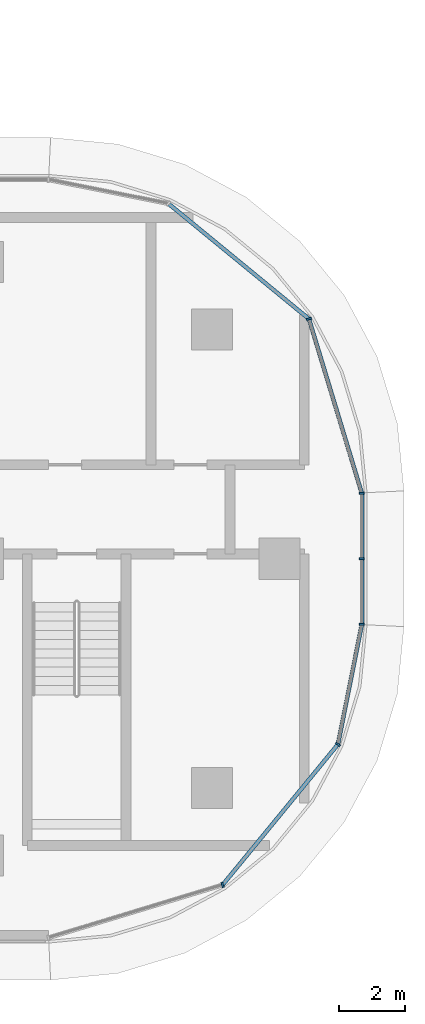
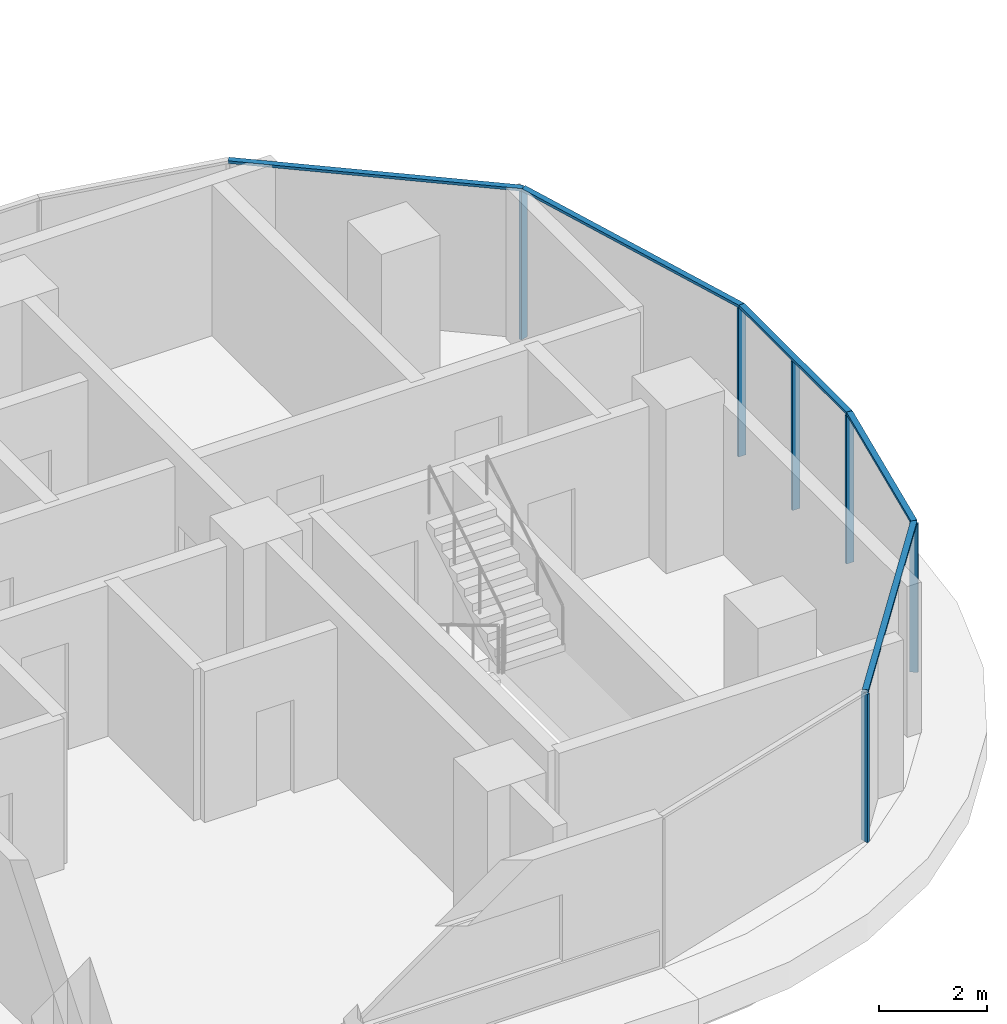
# One storey, part 8 of 25: 11 members, 3 elements without a shape of their own.
"""IFC4 building model written with IfcOpenShell, lengths in metres."""

from ifc_helpers import new_model, si_unit, direction, frame, origin, origin_2d, place, context, subcontext, project, spatial, rectangle, extrude, material, material_profile, profile_set, type_object, element, aggregate, save


model = new_model("IFC4")

# Units and contexts
model_context = context("Model", 3, precision=1e-05, world=origin(), true_north=direction((0.0, 1.0)))
body_context = subcontext(model_context, "Body", "Model", "MODEL_VIEW")
ifc_project = project(units=[si_unit("LENGTHUNIT", "METRE"), si_unit("AREAUNIT", "SQUARE_METRE"), si_unit("VOLUMEUNIT", "CUBIC_METRE"), si_unit("PLANEANGLEUNIT", "RADIAN"), si_unit("MASSUNIT", "GRAM", prefix="KILO")], contexts=[model_context])

# Site, building, storey
site_placement = place(None, origin())
site = spatial("IfcSite", under=ifc_project, at=site_placement, CompositionType="ELEMENT")
building_placement = place(site_placement, origin())
building = spatial("IfcBuilding", under=site, at=building_placement, Name="Ogive Portal Towers", CompositionType="ELEMENT")
storey_placement = place(building_placement, frame((0.0, 0.0, 116.699951171875)))
storey = spatial("IfcBuildingStorey", under=building, at=storey_placement, Name="L28", CompositionType="ELEMENT", Elevation=116.699951171875)

# Curtain wall, members
ifc_material_1 = material(Name="Glass, clear low-iron insulated glazing", Category="glass")
curtain_wall_type = type_object("IfcCurtainWallType", Name="CW FRONT RIBBON 4500", PredefinedType="NOTDEFINED", material=ifc_material_1)
curtain_wall_1_placement = place(storey_placement, origin())
curtain_wall_1 = element("IfcCurtainWall", 1, at=curtain_wall_1_placement, inside=storey, type_object=curtain_wall_type, Name="A:L28:f12:cw0", PredefinedType="NOTDEFINED")
ifc_material_2 = material(Name="Aluminium 6063 anodised", Category="aluminium")
ifc_material_profile_1 = material_profile(ifc_material_2, rectangle(XDim=0.159912109375, YDim=0.06005859375, at=origin_2d()), Name="AL 60x160")
ifc_profile_set_1 = profile_set([ifc_material_profile_1], Name="Aluminium 6063 anodised")
member_type_1 = type_object("IfcMemberType", Name="CW MULLION 60x160", PredefinedType="MULLION", material=ifc_profile_set_1)
member_1_placement = place(storey_placement, frame((96.9951171875, 28.5078125, 0.0), z_axis=(0.0, 0.0, 1.0), x_axis=(-1.0, 0.0, 0.0)))
member_1 = element("IfcMember", 2, at=member_1_placement, type_object=member_type_1, Name="mullion", PredefinedType="MULLION", context=body_context, shape_type="SweptSolid", body=[
    extrude(rectangle(XDim=0.159912109375, YDim=0.06005859375, at=origin_2d()), origin(), (0.0, 0.0, 1.0), 3.340087890625),
])
member_2_placement = place(storey_placement, frame((96.9951171875, 30.5, 0.0), z_axis=(0.0, 0.0, 1.0), x_axis=(-1.0, 0.0, 0.0)))
member_2 = element("IfcMember", 3, at=member_2_placement, type_object=member_type_1, Name="mullion", PredefinedType="MULLION", context=body_context, shape_type="SweptSolid", body=[
    extrude(rectangle(XDim=0.159912109375, YDim=0.06005859375, at=origin_2d()), origin(), (0.0, 0.0, 1.0), 3.340087890625),
])
member_3_placement = place(storey_placement, frame((96.9951171875, 32.488037109375, 0.0), z_axis=(0.0, 0.0, 1.0), x_axis=(-1.0, 0.0, 0.0)))
member_3 = element("IfcMember", 4, at=member_3_placement, type_object=member_type_1, Name="mullion", PredefinedType="MULLION", context=body_context, shape_type="SweptSolid", body=[
    extrude(rectangle(XDim=0.159912109375, YDim=0.06005859375, at=origin_2d()), origin(), (0.0, 0.0, 1.0), 3.340087890625),
])

curtain_wall_2_placement = place(storey_placement, origin())
curtain_wall_2 = element("IfcCurtainWall", 5, at=curtain_wall_2_placement, inside=storey, type_object=curtain_wall_type, Name="A:L28:f09:cwa", PredefinedType="NOTDEFINED")
member_4_placement = place(storey_placement, frame((92.773193359375, 20.608154296875, 0.0), z_axis=(0.0, 0.0, 1.0), x_axis=(-0.290284677254, 0.956940335732, 0.0)))
member_4 = element("IfcMember", 6, at=member_4_placement, type_object=member_type_1, Name="mullion", PredefinedType="MULLION", context=body_context, shape_type="SweptSolid", body=[
    extrude(rectangle(XDim=0.159912109375, YDim=0.06005859375, at=origin_2d()), origin(), (0.0, 0.0, 1.0), 3.340087890625),
])
member_5_placement = place(storey_placement, frame((96.271484375, 24.87109375, 0.0), z_axis=(0.0, 0.0, 1.0), x_axis=(-0.773010453363, 0.634393284164, 0.0)))
member_5 = element("IfcMember", 7, at=member_5_placement, type_object=member_type_1, Name="mullion", PredefinedType="MULLION", context=body_context, shape_type="SweptSolid", body=[
    extrude(rectangle(XDim=0.159912109375, YDim=0.06005859375, at=origin_2d()), origin(), (0.0, 0.0, 1.0), 3.340087890625),
])

# Curtain wall, member
curtain_wall_3_placement = place(storey_placement, origin())
curtain_wall_3 = element("IfcCurtainWall", 8, at=curtain_wall_3_placement, inside=storey, type_object=curtain_wall_type, Name="A:L28:f13:cwa", PredefinedType="NOTDEFINED")
member_6_placement = place(storey_placement, frame((95.391845703125, 37.773193359375, 0.0), z_axis=(0.0, 0.0, 1.0), x_axis=(-0.956940335732, -0.290284677254, 0.0)))
member_6 = element("IfcMember", 9, at=member_6_placement, type_object=member_type_1, Name="mullion", PredefinedType="MULLION", context=body_context, shape_type="SweptSolid", body=[
    extrude(rectangle(XDim=0.159912109375, YDim=0.06005859375, at=origin_2d()), origin(), (0.0, 0.0, 1.0), 3.340087890625),
])

# Member
ifc_material_profile_2 = material_profile(ifc_material_2, rectangle(XDim=0.1201171875, YDim=0.06005859375, at=origin_2d()), Name="AL 120x60")
ifc_profile_set_2 = profile_set([ifc_material_profile_2], Name="Aluminium 6063 anodised")
member_type_2 = type_object("IfcMemberType", Name="CW TRANSOM 60x120", PredefinedType="USERDEFINED", material=ifc_profile_set_2)
member_7_placement = place(storey_placement, frame((96.9951171875, 28.5078125, 3.3701171875), z_axis=(0.0, 1.0, 0.0), x_axis=(-1.0, 0.0, 0.0)))
member_7 = element("IfcMember", 10, at=member_7_placement, type_object=member_type_2, Name="transom", ObjectType="TRANSOM", PredefinedType="USERDEFINED", context=body_context, shape_type="SweptSolid", body=[
    extrude(rectangle(XDim=0.1201171875, YDim=0.06005859375, at=origin_2d()), origin(), (0.0, 0.0, 1.0), 3.980224609375),
])

aggregate(curtain_wall_1, [member_7, member_1, member_2, member_3])

member_8_placement = place(storey_placement, frame((92.773193359375, 20.608154296875, 3.3701171875), z_axis=(0.63437020596, 0.773029392579, 0.0), x_axis=(-0.773029392579, 0.63437020596, 0.0)))
member_8 = element("IfcMember", 11, at=member_8_placement, type_object=member_type_2, Name="transom", ObjectType="TRANSOM", PredefinedType="USERDEFINED", context=body_context, shape_type="SweptSolid", body=[
    extrude(rectangle(XDim=0.1201171875, YDim=0.06005859375, at=origin_2d()), origin(), (0.0, 0.0, 1.0), 5.5146484375),
])

member_9_placement = place(storey_placement, frame((96.271484375, 24.87109375, 3.3701171875), z_axis=(0.195153744134, 0.980772662828, 0.0), x_axis=(-0.980772662828, 0.195153744134, 0.0)))
member_9 = element("IfcMember", 12, at=member_9_placement, type_object=member_type_2, Name="transom", ObjectType="TRANSOM", PredefinedType="USERDEFINED", context=body_context, shape_type="SweptSolid", body=[
    extrude(rectangle(XDim=0.1201171875, YDim=0.06005859375, at=origin_2d()), origin(), (0.0, 0.0, 1.0), 3.7080078125),
])

aggregate(curtain_wall_2, [member_8, member_9, member_4, member_5])

member_10_placement = place(storey_placement, frame((96.9951171875, 32.488037109375, 3.3701171875), z_axis=(-0.290290789392, 0.956938481614, 0.0), x_axis=(-0.956938481614, -0.290290789392, 0.0)))
member_10 = element("IfcMember", 13, at=member_10_placement, type_object=member_type_2, Name="transom", ObjectType="TRANSOM", PredefinedType="USERDEFINED", context=body_context, shape_type="SweptSolid", body=[
    extrude(rectangle(XDim=0.1201171875, YDim=0.06005859375, at=origin_2d()), origin(), (0.0, 0.0, 1.0), 5.52294921875),
])

member_11_placement = place(storey_placement, frame((95.391845703125, 37.773193359375, 3.3701171875), z_axis=(-0.773029392579, 0.63437020596, 0.0), x_axis=(-0.63437020596, -0.773029392579, 0.0)))
member_11 = element("IfcMember", 14, at=member_11_placement, type_object=member_type_2, Name="transom", ObjectType="TRANSOM", PredefinedType="USERDEFINED", context=body_context, shape_type="SweptSolid", body=[
    extrude(rectangle(XDim=0.1201171875, YDim=0.06005859375, at=origin_2d()), origin(), (0.0, 0.0, 1.0), 5.5146484375),
])

aggregate(curtain_wall_3, [member_10, member_11, member_6])

save(model, "model.ifc")
